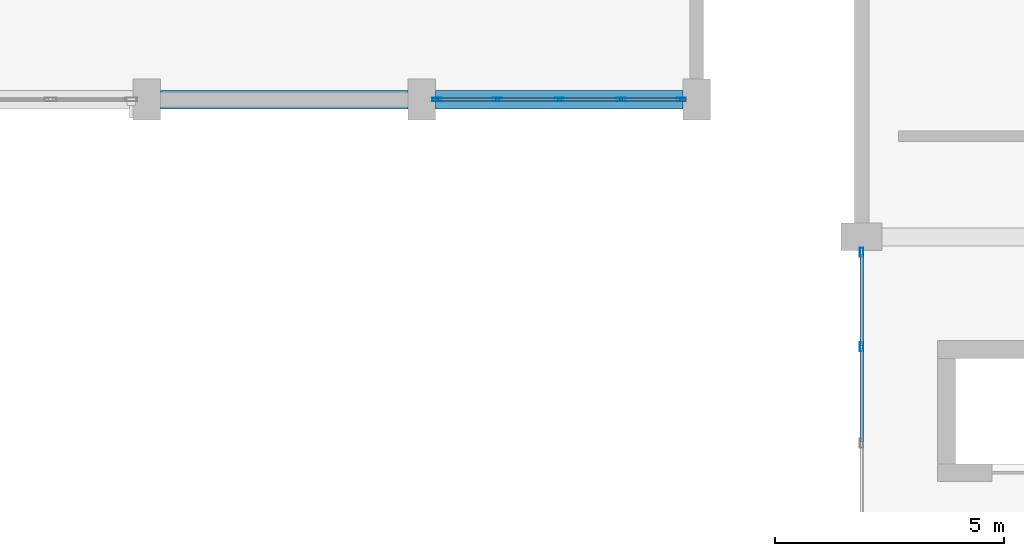
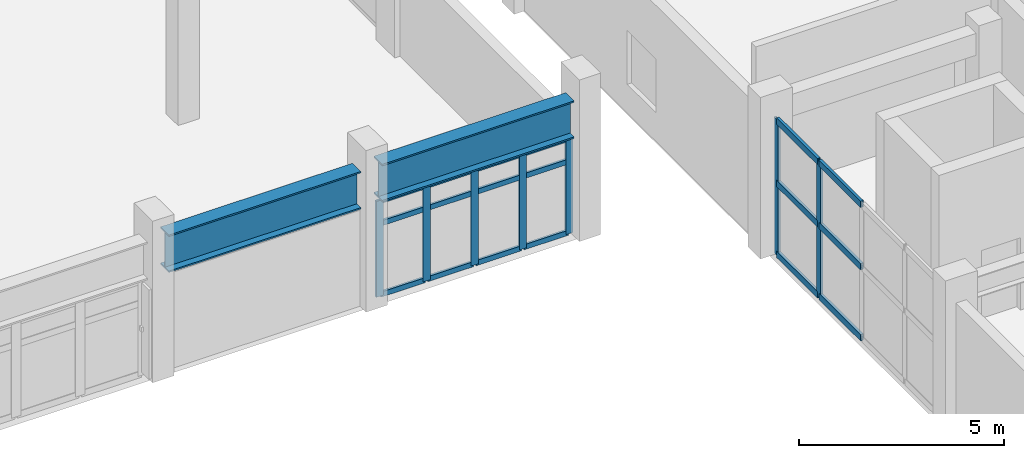
# One storey, part 9 of 62: 25 members, 2 beams, 2 elements without a shape of their own.
"""IFC4 building model written with IfcOpenShell, lengths in metres."""

from ifc_helpers import new_model, si_unit, direction, frame, origin, origin_2d, place, context, subcontext, project, spatial, hollow_rectangle, i_section, extrude, material, layer, layer_set, material_profile, profile_set, type_object, element, aggregate, save


model = new_model("IFC4")

# Units and contexts
model_context = context("Model", 3, precision=1e-05, world=origin(), true_north=direction((0.0, 1.0)))
body_context = subcontext(model_context, "Body", "Model", "MODEL_VIEW")
ifc_project = project(units=[si_unit("LENGTHUNIT", "METRE"), si_unit("AREAUNIT", "SQUARE_METRE"), si_unit("VOLUMEUNIT", "CUBIC_METRE"), si_unit("PLANEANGLEUNIT", "RADIAN"), si_unit("MASSUNIT", "GRAM", prefix="KILO")], contexts=[model_context])

# Site, building, storey
site_placement = place(None, origin())
site = spatial("IfcSite", under=ifc_project, at=site_placement, CompositionType="ELEMENT")
building_placement = place(site_placement, origin())
building = spatial("IfcBuilding", under=site, at=building_placement, Name="Vaelkrest Opera House", CompositionType="ELEMENT")
storey_placement = place(building_placement, frame((0.0, 0.0, 19.800048828125)))
storey = spatial("IfcBuildingStorey", under=building, at=storey_placement, Name="L04", CompositionType="ELEMENT", Elevation=19.800048828125)

# Curtain wall, members
ifc_material_1 = material(Name="Dark bronze anodized aluminium", Category="aluminium")
ifc_layer_1 = layer(ifc_material_1, 0.22998046875)
ifc_layer_set_1 = layer_set([ifc_layer_1], Name="Dark bronze anodized aluminium")
curtain_wall_type_1 = type_object("IfcCurtainWallType", Name="CW06", PredefinedType="NOTDEFINED", material=ifc_layer_set_1)
curtain_wall_1_placement = place(storey_placement, origin())
curtain_wall_1 = element("IfcCurtainWall", 1, at=curtain_wall_1_placement, inside=storey, type_object=curtain_wall_type_1, Name="Curtain wall CW-L04-061", PredefinedType="NOTDEFINED")
ifc_material_profile_1 = material_profile(ifc_material_1, hollow_rectangle(XDim=0.070068359375, YDim=0.199951171875, WallThickness=0.004150390625, at=origin_2d()), Name="CWM70X200")
ifc_profile_set_1 = profile_set([ifc_material_profile_1], Name="Dark bronze anodized aluminium")
member_type_1 = type_object("IfcMemberType", Name="CWM02", PredefinedType="MULLION", material=ifc_profile_set_1)
member_1_placement = place(storey_placement, frame((-30.0, -22.198974609375, 0.0), z_axis=(0.0, 0.0, 1.0), x_axis=(-1.0, 0.0, 0.0)))
member_1 = element("IfcMember", 2, at=member_1_placement, type_object=member_type_1, Name="CW06 mullion 4", PredefinedType="MULLION", context=body_context, shape_type="SweptSolid", body=[
    extrude(hollow_rectangle(XDim=0.070068359375, YDim=0.199951171875, WallThickness=0.004150390625, at=origin_2d()), origin(), (0.0, 0.0, 1.0), 4.04296875),
])
member_2_placement = place(storey_placement, frame((-30.0, -20.133056640625, 0.0), z_axis=(0.0, 0.0, 1.0), x_axis=(-1.0, 0.0, 0.0)))
member_2 = element("IfcMember", 3, at=member_2_placement, type_object=member_type_1, Name="CW06 mullion 5", PredefinedType="MULLION", context=body_context, shape_type="SweptSolid", body=[
    extrude(hollow_rectangle(XDim=0.070068359375, YDim=0.199951171875, WallThickness=0.004150390625, at=origin_2d()), origin(), (0.0, 0.0, 1.0), 4.04296875),
])

ifc_layer_2 = layer(ifc_material_1, 0.18994140625)
ifc_layer_set_2 = layer_set([ifc_layer_2], Name="Dark bronze anodized aluminium")
curtain_wall_type_2 = type_object("IfcCurtainWallType", Name="CW02", PredefinedType="NOTDEFINED", material=ifc_layer_set_2)
curtain_wall_2_placement = place(storey_placement, origin())
curtain_wall_2 = element("IfcCurtainWall", 4, at=curtain_wall_2_placement, inside=storey, type_object=curtain_wall_type_2, Name="Curtain wall CW-L04-137", PredefinedType="NOTDEFINED")
member_3_placement = place(storey_placement, frame((-33.93310546875, -16.800048828125, 0.0), z_axis=(0.0, 0.0, 1.0), x_axis=(0.0, -1.0, 0.0)))
member_3 = element("IfcMember", 5, at=member_3_placement, type_object=member_type_1, Name="CW02 mullion 1", PredefinedType="MULLION", context=body_context, shape_type="SweptSolid", body=[
    extrude(hollow_rectangle(XDim=0.070068359375, YDim=0.199951171875, WallThickness=0.004150390625, at=origin_2d()), origin(), (0.0, 0.0, 1.0), 2.85205078125),
])
member_4_placement = place(storey_placement, frame((-35.2490234375, -16.800048828125, 0.0), z_axis=(0.0, 0.0, 1.0), x_axis=(0.0, -1.0, 0.0)))
member_4 = element("IfcMember", 6, at=member_4_placement, type_object=member_type_1, Name="CW02 mullion 2", PredefinedType="MULLION", context=body_context, shape_type="SweptSolid", body=[
    extrude(hollow_rectangle(XDim=0.070068359375, YDim=0.199951171875, WallThickness=0.004150390625, at=origin_2d()), origin(), (0.0, 0.0, 1.0), 2.85205078125),
])
member_5_placement = place(storey_placement, frame((-36.60009765625, -16.800048828125, 0.0), z_axis=(0.0, 0.0, 1.0), x_axis=(0.0, -1.0, 0.0)))
member_5 = element("IfcMember", 7, at=member_5_placement, type_object=member_type_1, Name="CW02 mullion 3", PredefinedType="MULLION", context=body_context, shape_type="SweptSolid", body=[
    extrude(hollow_rectangle(XDim=0.070068359375, YDim=0.199951171875, WallThickness=0.004150390625, at=origin_2d()), origin(), (0.0, 0.0, 1.0), 2.85205078125),
])
member_6_placement = place(storey_placement, frame((-37.950927734375, -16.800048828125, 0.0), z_axis=(0.0, 0.0, 1.0), x_axis=(0.0, -1.0, 0.0)))
member_6 = element("IfcMember", 8, at=member_6_placement, type_object=member_type_1, Name="CW02 mullion 4", PredefinedType="MULLION", context=body_context, shape_type="SweptSolid", body=[
    extrude(hollow_rectangle(XDim=0.070068359375, YDim=0.199951171875, WallThickness=0.004150390625, at=origin_2d()), origin(), (0.0, 0.0, 1.0), 2.85205078125),
])
member_7_placement = place(storey_placement, frame((-39.26708984375, -16.800048828125, 0.0), z_axis=(0.0, 0.0, 1.0), x_axis=(0.0, -1.0, 0.0)))
member_7 = element("IfcMember", 9, at=member_7_placement, type_object=member_type_1, Name="CW02 mullion 5", PredefinedType="MULLION", context=body_context, shape_type="SweptSolid", body=[
    extrude(hollow_rectangle(XDim=0.070068359375, YDim=0.199951171875, WallThickness=0.004150390625, at=origin_2d()), origin(), (0.0, 0.0, 1.0), 2.85205078125),
])
ifc_material_profile_2 = material_profile(ifc_material_1, hollow_rectangle(XDim=0.070068359375, YDim=0.14990234375, WallThickness=0.004150390625, at=origin_2d()), Name="CWT70X150")
ifc_profile_set_2 = profile_set([ifc_material_profile_2], Name="Dark bronze anodized aluminium")
member_type_2 = type_object("IfcMemberType", Name="CWT02", PredefinedType="USERDEFINED", material=ifc_profile_set_2)
member_8_placement = place(storey_placement, frame((-33.968017578125, -16.800048828125, 0.034912109375), z_axis=(-1.0, 0.0, 0.0), x_axis=(0.0, -1.0, 0.0)))
member_8 = element("IfcMember", 10, at=member_8_placement, type_object=member_type_2, Name="CW02 transom 1.1", ObjectType="TRANSOM", PredefinedType="USERDEFINED", context=body_context, shape_type="SweptSolid", body=[
    extrude(hollow_rectangle(XDim=0.070068359375, YDim=0.14990234375, WallThickness=0.004150390625, at=origin_2d()), origin(), (0.0, 0.0, 1.0), 1.24609375),
])
member_9_placement = place(storey_placement, frame((-33.968017578125, -16.800048828125, 2.14990234375), z_axis=(-1.0, 0.0, 0.0), x_axis=(0.0, -1.0, 0.0)))
member_9 = element("IfcMember", 11, at=member_9_placement, type_object=member_type_2, Name="CW02 transom 1.2", ObjectType="TRANSOM", PredefinedType="USERDEFINED", context=body_context, shape_type="SweptSolid", body=[
    extrude(hollow_rectangle(XDim=0.070068359375, YDim=0.14990234375, WallThickness=0.004150390625, at=origin_2d()), origin(), (0.0, 0.0, 1.0), 1.24609375),
])
member_10_placement = place(storey_placement, frame((-33.968017578125, -16.800048828125, 2.81689453125), z_axis=(-1.0, 0.0, 0.0), x_axis=(0.0, -1.0, 0.0)))
member_10 = element("IfcMember", 12, at=member_10_placement, type_object=member_type_2, Name="CW02 transom 1.3", ObjectType="TRANSOM", PredefinedType="USERDEFINED", context=body_context, shape_type="SweptSolid", body=[
    extrude(hollow_rectangle(XDim=0.070068359375, YDim=0.14990234375, WallThickness=0.004150390625, at=origin_2d()), origin(), (0.0, 0.0, 1.0), 1.24609375),
])
member_11_placement = place(storey_placement, frame((-35.283935546875, -16.800048828125, 0.034912109375), z_axis=(-1.0, 0.0, 0.0), x_axis=(0.0, -1.0, 0.0)))
member_11 = element("IfcMember", 13, at=member_11_placement, type_object=member_type_2, Name="CW02 transom 2.1", ObjectType="TRANSOM", PredefinedType="USERDEFINED", context=body_context, shape_type="SweptSolid", body=[
    extrude(hollow_rectangle(XDim=0.070068359375, YDim=0.14990234375, WallThickness=0.004150390625, at=origin_2d()), origin(), (0.0, 0.0, 1.0), 1.281005859375),
])
member_12_placement = place(storey_placement, frame((-35.283935546875, -16.800048828125, 2.14990234375), z_axis=(-1.0, 0.0, 0.0), x_axis=(0.0, -1.0, 0.0)))
member_12 = element("IfcMember", 14, at=member_12_placement, type_object=member_type_2, Name="CW02 transom 2.2", ObjectType="TRANSOM", PredefinedType="USERDEFINED", context=body_context, shape_type="SweptSolid", body=[
    extrude(hollow_rectangle(XDim=0.070068359375, YDim=0.14990234375, WallThickness=0.004150390625, at=origin_2d()), origin(), (0.0, 0.0, 1.0), 1.281005859375),
])
member_13_placement = place(storey_placement, frame((-35.283935546875, -16.800048828125, 2.81689453125), z_axis=(-1.0, 0.0, 0.0), x_axis=(0.0, -1.0, 0.0)))
member_13 = element("IfcMember", 15, at=member_13_placement, type_object=member_type_2, Name="CW02 transom 2.3", ObjectType="TRANSOM", PredefinedType="USERDEFINED", context=body_context, shape_type="SweptSolid", body=[
    extrude(hollow_rectangle(XDim=0.070068359375, YDim=0.14990234375, WallThickness=0.004150390625, at=origin_2d()), origin(), (0.0, 0.0, 1.0), 1.281005859375),
])
member_14_placement = place(storey_placement, frame((-36.635009765625, -16.800048828125, 0.034912109375), z_axis=(-1.0, 0.0, 0.0), x_axis=(0.0, -1.0, 0.0)))
member_14 = element("IfcMember", 16, at=member_14_placement, type_object=member_type_2, Name="CW02 transom 3.1", ObjectType="TRANSOM", PredefinedType="USERDEFINED", context=body_context, shape_type="SweptSolid", body=[
    extrude(hollow_rectangle(XDim=0.070068359375, YDim=0.14990234375, WallThickness=0.004150390625, at=origin_2d()), origin(), (0.0, 0.0, 1.0), 1.281005859375),
])
member_15_placement = place(storey_placement, frame((-36.635009765625, -16.800048828125, 2.14990234375), z_axis=(-1.0, 0.0, 0.0), x_axis=(0.0, -1.0, 0.0)))
member_15 = element("IfcMember", 17, at=member_15_placement, type_object=member_type_2, Name="CW02 transom 3.2", ObjectType="TRANSOM", PredefinedType="USERDEFINED", context=body_context, shape_type="SweptSolid", body=[
    extrude(hollow_rectangle(XDim=0.070068359375, YDim=0.14990234375, WallThickness=0.004150390625, at=origin_2d()), origin(), (0.0, 0.0, 1.0), 1.281005859375),
])
member_16_placement = place(storey_placement, frame((-36.635009765625, -16.800048828125, 2.81689453125), z_axis=(-1.0, 0.0, 0.0), x_axis=(0.0, -1.0, 0.0)))
member_16 = element("IfcMember", 18, at=member_16_placement, type_object=member_type_2, Name="CW02 transom 3.3", ObjectType="TRANSOM", PredefinedType="USERDEFINED", context=body_context, shape_type="SweptSolid", body=[
    extrude(hollow_rectangle(XDim=0.070068359375, YDim=0.14990234375, WallThickness=0.004150390625, at=origin_2d()), origin(), (0.0, 0.0, 1.0), 1.281005859375),
])
member_17_placement = place(storey_placement, frame((-37.986083984375, -16.800048828125, 0.034912109375), z_axis=(-1.0, 0.0, 0.0), x_axis=(0.0, -1.0, 0.0)))
member_17 = element("IfcMember", 19, at=member_17_placement, type_object=member_type_2, Name="CW02 transom 4.1", ObjectType="TRANSOM", PredefinedType="USERDEFINED", context=body_context, shape_type="SweptSolid", body=[
    extrude(hollow_rectangle(XDim=0.070068359375, YDim=0.14990234375, WallThickness=0.004150390625, at=origin_2d()), origin(), (0.0, 0.0, 1.0), 1.245849609375),
])
member_18_placement = place(storey_placement, frame((-37.986083984375, -16.800048828125, 2.14990234375), z_axis=(-1.0, 0.0, 0.0), x_axis=(0.0, -1.0, 0.0)))
member_18 = element("IfcMember", 20, at=member_18_placement, type_object=member_type_2, Name="CW02 transom 4.2", ObjectType="TRANSOM", PredefinedType="USERDEFINED", context=body_context, shape_type="SweptSolid", body=[
    extrude(hollow_rectangle(XDim=0.070068359375, YDim=0.14990234375, WallThickness=0.004150390625, at=origin_2d()), origin(), (0.0, 0.0, 1.0), 1.245849609375),
])
member_19_placement = place(storey_placement, frame((-37.986083984375, -16.800048828125, 2.81689453125), z_axis=(-1.0, 0.0, 0.0), x_axis=(0.0, -1.0, 0.0)))
member_19 = element("IfcMember", 21, at=member_19_placement, type_object=member_type_2, Name="CW02 transom 4.3", ObjectType="TRANSOM", PredefinedType="USERDEFINED", context=body_context, shape_type="SweptSolid", body=[
    extrude(hollow_rectangle(XDim=0.070068359375, YDim=0.14990234375, WallThickness=0.004150390625, at=origin_2d()), origin(), (0.0, 0.0, 1.0), 1.245849609375),
])
aggregate(curtain_wall_2, [member_3, member_4, member_5, member_6, member_7, member_8, member_9, member_10, member_11, member_12, member_13, member_14, member_15, member_16, member_17, member_18, member_19])

# Member
ifc_material_profile_3 = material_profile(ifc_material_1, hollow_rectangle(XDim=0.080078125, YDim=0.18994140625, WallThickness=0.0048828125, at=origin_2d()), Name="CWT80X190")
ifc_profile_set_3 = profile_set([ifc_material_profile_3], Name="Dark bronze anodized aluminium")
member_type_3 = type_object("IfcMemberType", Name="CWT04", PredefinedType="USERDEFINED", material=ifc_profile_set_3)
member_20_placement = place(storey_placement, frame((-30.0, -24.264892578125, 0.0400390625), z_axis=(0.0, 1.0, 0.0), x_axis=(-1.0, 0.0, 0.0)))
member_20 = element("IfcMember", 22, at=member_20_placement, type_object=member_type_3, Name="CW06 transom 3.1", ObjectType="TRANSOM", PredefinedType="USERDEFINED", context=body_context, shape_type="SweptSolid", body=[
    extrude(hollow_rectangle(XDim=0.080078125, YDim=0.18994140625, WallThickness=0.0048828125, at=origin_2d()), origin(), (0.0, 0.0, 1.0), 2.031005859375),
])

member_21_placement = place(storey_placement, frame((-30.0, -24.264892578125, 2.14990234375), z_axis=(0.0, 1.0, 0.0), x_axis=(-1.0, 0.0, 0.0)))
member_21 = element("IfcMember", 23, at=member_21_placement, type_object=member_type_3, Name="CW06 transom 3.2", ObjectType="TRANSOM", PredefinedType="USERDEFINED", context=body_context, shape_type="SweptSolid", body=[
    extrude(hollow_rectangle(XDim=0.080078125, YDim=0.18994140625, WallThickness=0.0048828125, at=origin_2d()), origin(), (0.0, 0.0, 1.0), 2.031005859375),
])

member_22_placement = place(storey_placement, frame((-30.0, -24.264892578125, 4.0029296875), z_axis=(0.0, 1.0, 0.0), x_axis=(-1.0, 0.0, 0.0)))
member_22 = element("IfcMember", 24, at=member_22_placement, type_object=member_type_3, Name="CW06 transom 3.3", ObjectType="TRANSOM", PredefinedType="USERDEFINED", context=body_context, shape_type="SweptSolid", body=[
    extrude(hollow_rectangle(XDim=0.080078125, YDim=0.18994140625, WallThickness=0.0048828125, at=origin_2d()), origin(), (0.0, 0.0, 1.0), 2.031005859375),
])

member_23_placement = place(storey_placement, frame((-30.0, -22.1640625, 0.0400390625), z_axis=(0.0, 1.0, 0.0), x_axis=(-1.0, 0.0, 0.0)))
member_23 = element("IfcMember", 25, at=member_23_placement, type_object=member_type_3, Name="CW06 transom 4.1", ObjectType="TRANSOM", PredefinedType="USERDEFINED", context=body_context, shape_type="SweptSolid", body=[
    extrude(hollow_rectangle(XDim=0.080078125, YDim=0.18994140625, WallThickness=0.0048828125, at=origin_2d()), origin(), (0.0, 0.0, 1.0), 1.99609375),
])

member_24_placement = place(storey_placement, frame((-30.0, -22.1640625, 2.14990234375), z_axis=(0.0, 1.0, 0.0), x_axis=(-1.0, 0.0, 0.0)))
member_24 = element("IfcMember", 26, at=member_24_placement, type_object=member_type_3, Name="CW06 transom 4.2", ObjectType="TRANSOM", PredefinedType="USERDEFINED", context=body_context, shape_type="SweptSolid", body=[
    extrude(hollow_rectangle(XDim=0.080078125, YDim=0.18994140625, WallThickness=0.0048828125, at=origin_2d()), origin(), (0.0, 0.0, 1.0), 1.99609375),
])

member_25_placement = place(storey_placement, frame((-30.0, -22.1640625, 4.0029296875), z_axis=(0.0, 1.0, 0.0), x_axis=(-1.0, 0.0, 0.0)))
member_25 = element("IfcMember", 27, at=member_25_placement, type_object=member_type_3, Name="CW06 transom 4.3", ObjectType="TRANSOM", PredefinedType="USERDEFINED", context=body_context, shape_type="SweptSolid", body=[
    extrude(hollow_rectangle(XDim=0.080078125, YDim=0.18994140625, WallThickness=0.0048828125, at=origin_2d()), origin(), (0.0, 0.0, 1.0), 1.99609375),
])

aggregate(curtain_wall_1, [member_1, member_2, member_20, member_21, member_22, member_23, member_24, member_25])

# Beams
ifc_material_2 = material(Name="Steel A992 Gr50", Category="steel")
ifc_material_profile_4 = material_profile(ifc_material_2, i_section(OverallWidth=0.405029296875, OverallDepth=1.117919921875, WebThickness=0.02587890625, FlangeThickness=0.044921875, at=origin_2d()), Name="W44X335")
ifc_profile_set_4 = profile_set([ifc_material_profile_4], Name="Steel A992 Gr50")
beam_type = type_object("IfcBeamType", Name="SP05", PredefinedType="SPANDREL", material=ifc_profile_set_4)
for number, where, z_axis, x_axis, name in (
    (28, (-45.300048828125, -16.800048828125, 3.475830078125), (1.0, 0.0, 0.0), (0.0, 1.0, 0.0), "Beam BM-V3-L04-1808"),
    (29, (-39.300048828125, -16.800048828125, 3.475830078125), (1.0, 0.0, 0.0), (0.0, 1.0, 0.0), "Beam BM-V3-L04-1809"),
):
    element("IfcBeam", number, at=place(storey_placement, frame(where, z_axis=z_axis, x_axis=x_axis)), inside=storey, type_object=beam_type, Name=name, PredefinedType="SPANDREL", context=body_context, shape_type="SweptSolid", body=[
        extrude(i_section(OverallWidth=0.405029296875, OverallDepth=1.117919921875, WebThickness=0.02587890625, FlangeThickness=0.044921875, at=origin_2d()), origin(), (0.0, 0.0, 1.0), 5.400146484375),
    ])

save(model, "model.ifc")
